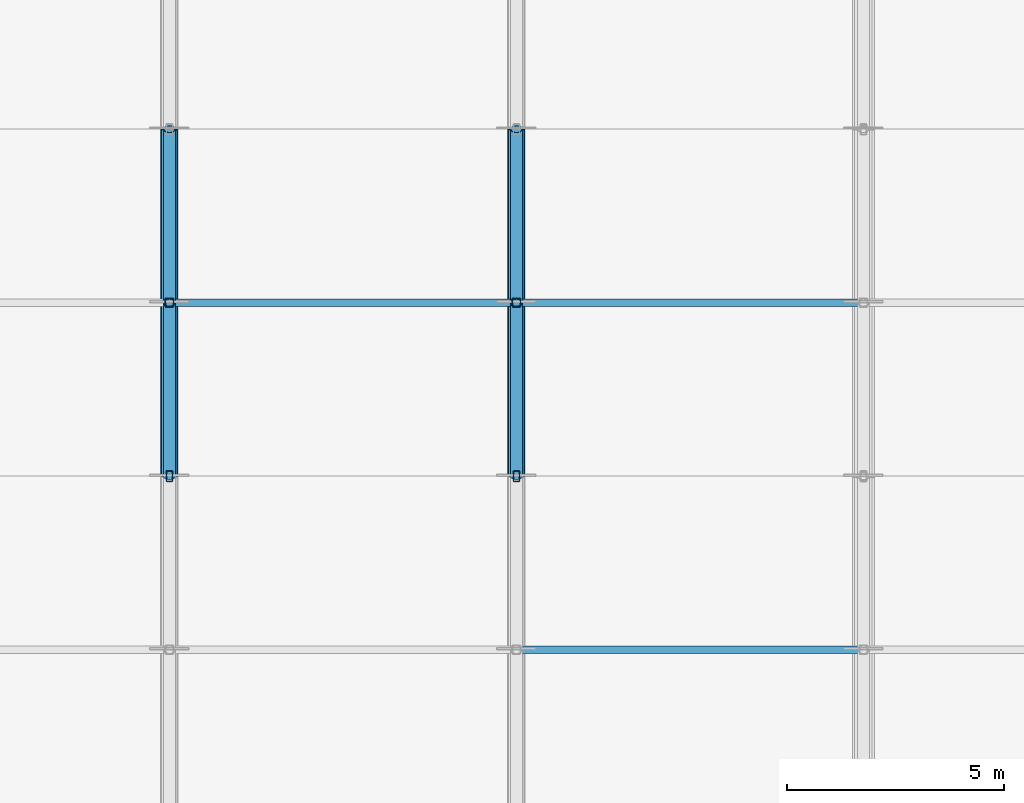
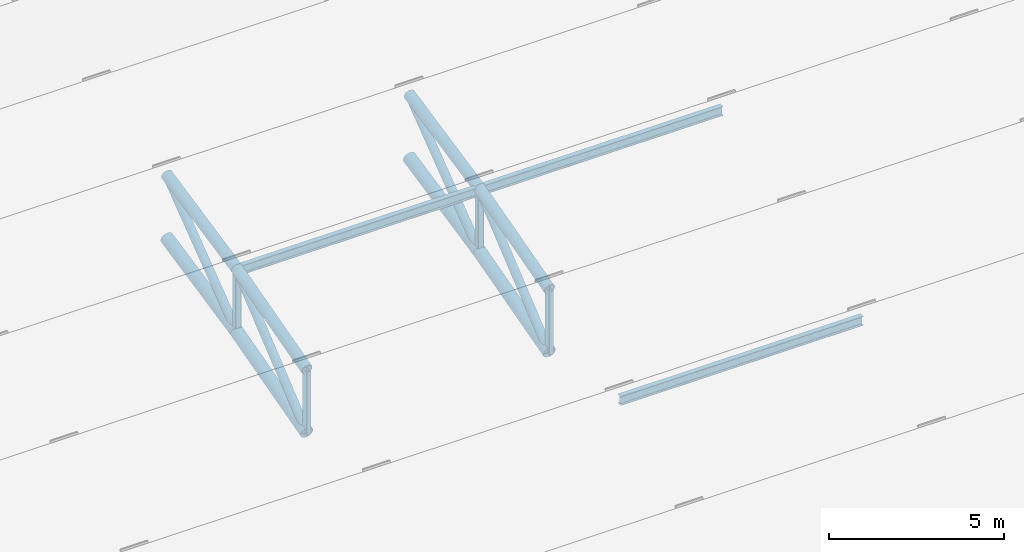
# One storey, part 24 of 98: 19 members.
"""IFC4 building model written with IfcOpenShell, lengths in metres."""

from ifc_helpers import new_model, si_unit, direction, frame, origin, origin_2d, place, context, subcontext, project, spatial, hollow_rectangle, hollow_circle, i_section, extrude, material, material_profile, profile_set, type_object, element, save


model = new_model("IFC4")

# Units and contexts
model_context = context("Model", 3, precision=1e-05, world=origin(), true_north=direction((0.0, 1.0)))
body_context = subcontext(model_context, "Body", "Model", "MODEL_VIEW")
ifc_project = project(units=[si_unit("LENGTHUNIT", "METRE"), si_unit("AREAUNIT", "SQUARE_METRE"), si_unit("VOLUMEUNIT", "CUBIC_METRE"), si_unit("PLANEANGLEUNIT", "RADIAN"), si_unit("MASSUNIT", "GRAM", prefix="KILO")], contexts=[model_context])

# Site, building, storey
site_placement = place(None, origin())
site = spatial("IfcSite", under=ifc_project, at=site_placement, CompositionType="ELEMENT")
building_placement = place(site_placement, origin())
building = spatial("IfcBuilding", under=site, at=building_placement, Name="Tlacozan Convention Centre", CompositionType="ELEMENT")
storey_placement = place(building_placement, frame((0.0, 0.0, 25.800048828125)))
storey = spatial("IfcBuildingStorey", under=building, at=storey_placement, Name="Roof", CompositionType="ELEMENT", Elevation=25.800048828125)

# Members
ifc_material_1 = material(Name="Steel ASTM A500 Grade C", Category="steel")
ifc_material_profile_1 = material_profile(ifc_material_1, hollow_circle(Radius=0.203125, WallThickness=0.015869140625, at=origin_2d()), Name="OC 406.4x15.9")
ifc_profile_set_1 = profile_set([ifc_material_profile_1], Name="Steel ASTM A500 Grade C")
member_type_1 = type_object("IfcMemberType", Name="Arch Bottom Chord OC 406.4x15.9", PredefinedType="CHORD", material=ifc_profile_set_1)
member_1_placement = place(storey_placement, frame((80.0, 74.0, -7.807861328125), z_axis=(0.0, 0.964289609145, 0.26485005134), x_axis=(-1.0, 0.0, 0.0)))
element("IfcMember", 1, at=member_1_placement, inside=storey, type_object=member_type_1, Name="V2A Roof Truss 11 Bottom Chord 4", PredefinedType="CHORD", context=body_context, shape_type="SweptSolid", body=[
    extrude(hollow_circle(Radius=0.203125, WallThickness=0.015869140625, at=origin_2d()), origin(), (0.0, 0.0, 1.0), 4.148193359375),
])
member_2_placement = place(storey_placement, frame((80.0, 78.0, -6.709228515625), z_axis=(0.0, 0.978552953366, 0.205995430674), x_axis=(-1.0, 0.0, 0.0)))
element("IfcMember", 2, at=member_2_placement, inside=storey, type_object=member_type_1, Name="V2A Roof Truss 11 Bottom Chord 5", PredefinedType="CHORD", context=body_context, shape_type="SweptSolid", body=[
    extrude(hollow_circle(Radius=0.203125, WallThickness=0.015869140625, at=origin_2d()), origin(), (0.0, 0.0, 1.0), 4.087646484375),
])
member_3_placement = place(storey_placement, frame((88.0, 74.0, -7.807861328125), z_axis=(0.0, 0.964289609145, 0.26485005134), x_axis=(-1.0, 0.0, 0.0)))
element("IfcMember", 3, at=member_3_placement, inside=storey, type_object=member_type_1, Name="V2A Roof Truss 12 Bottom Chord 4", PredefinedType="CHORD", context=body_context, shape_type="SweptSolid", body=[
    extrude(hollow_circle(Radius=0.203125, WallThickness=0.015869140625, at=origin_2d()), origin(), (0.0, 0.0, 1.0), 4.148193359375),
])
member_4_placement = place(storey_placement, frame((88.0, 78.0, -6.709228515625), z_axis=(0.0, 0.978552953366, 0.205995430674), x_axis=(-1.0, 0.0, 0.0)))
element("IfcMember", 4, at=member_4_placement, inside=storey, type_object=member_type_1, Name="V2A Roof Truss 12 Bottom Chord 5", PredefinedType="CHORD", context=body_context, shape_type="SweptSolid", body=[
    extrude(hollow_circle(Radius=0.203125, WallThickness=0.015869140625, at=origin_2d()), origin(), (0.0, 0.0, 1.0), 4.087646484375),
])
ifc_material_profile_2 = material_profile(ifc_material_1, hollow_circle(Radius=0.136474609375, WallThickness=0.0126953125, at=origin_2d()), Name="OC 273.1x12.7")
ifc_profile_set_2 = profile_set([ifc_material_profile_2], Name="Steel ASTM A500 Grade C")
member_type_2 = type_object("IfcMemberType", Name="Arch Web Diagonal OC 273.1x12.7", PredefinedType="BRACE", material=ifc_profile_set_2)
member_5_placement = place(storey_placement, frame((80.0, 74.0, -7.807861328125), z_axis=(0.0, 0.771507331308, 0.63622043172), x_axis=(-1.0, 0.0, 0.0)))
element("IfcMember", 5, at=member_5_placement, inside=storey, type_object=member_type_2, Name="V2A Roof Truss 11 Web Diagonal 4", PredefinedType="BRACE", context=body_context, shape_type="SweptSolid", body=[
    extrude(hollow_circle(Radius=0.136474609375, WallThickness=0.0126953125, at=origin_2d()), origin(), (0.0, 0.0, 1.0), 5.1845703125),
])
member_6_placement = place(storey_placement, frame((80.0, 78.0, -6.709228515625), z_axis=(0.0, 0.795971176065, 0.605334524766), x_axis=(-1.0, 0.0, 0.0)))
element("IfcMember", 6, at=member_6_placement, inside=storey, type_object=member_type_2, Name="V2A Roof Truss 11 Web Diagonal 5", PredefinedType="BRACE", context=body_context, shape_type="SweptSolid", body=[
    extrude(hollow_circle(Radius=0.136474609375, WallThickness=0.0126953125, at=origin_2d()), origin(), (0.0, 0.0, 1.0), 5.025390625),
])
member_7_placement = place(storey_placement, frame((88.0, 74.0, -7.807861328125), z_axis=(0.0, 0.771507331308, 0.63622043172), x_axis=(-1.0, 0.0, 0.0)))
element("IfcMember", 7, at=member_7_placement, inside=storey, type_object=member_type_2, Name="V2A Roof Truss 12 Web Diagonal 4", PredefinedType="BRACE", context=body_context, shape_type="SweptSolid", body=[
    extrude(hollow_circle(Radius=0.136474609375, WallThickness=0.0126953125, at=origin_2d()), origin(), (0.0, 0.0, 1.0), 5.1845703125),
])
member_8_placement = place(storey_placement, frame((88.0, 78.0, -6.709228515625), z_axis=(0.0, 0.795971176065, 0.605334524766), x_axis=(-1.0, 0.0, 0.0)))
element("IfcMember", 8, at=member_8_placement, inside=storey, type_object=member_type_2, Name="V2A Roof Truss 12 Web Diagonal 5", PredefinedType="BRACE", context=body_context, shape_type="SweptSolid", body=[
    extrude(hollow_circle(Radius=0.136474609375, WallThickness=0.0126953125, at=origin_2d()), origin(), (0.0, 0.0, 1.0), 5.025390625),
])
ifc_material_profile_3 = material_profile(ifc_material_1, hollow_rectangle(XDim=0.203125, YDim=0.203125, WallThickness=0.0126953125, InnerFilletRadius=0.0126953125, OuterFilletRadius=0.02490234375, at=origin_2d()), Name="OR 203x203x12.7")
ifc_profile_set_3 = profile_set([ifc_material_profile_3], Name="Steel ASTM A500 Grade C")
member_type_3 = type_object("IfcMemberType", Name="Arch Web Strut OR 203x203x12.7", PredefinedType="STRUT", material=ifc_profile_set_3)
for number, where, z_axis, x_axis, name in (
    (9, (80.0, 78.0, -6.709228515625), (0.0, 0.0, 1.0), (1.0, 0.0, 0.0), "V2A Roof Truss 11 Vertical Strut 5"),
    (10, (88.0, 78.0, -6.709228515625), (0.0, 0.0, 1.0), (1.0, 0.0, 0.0), "V2A Roof Truss 12 Vertical Strut 5"),
):
    element("IfcMember", number, at=place(storey_placement, frame(where, z_axis=z_axis, x_axis=x_axis)), inside=storey, type_object=member_type_3, Name=name, PredefinedType="STRUT", context=body_context, shape_type="SweptSolid", body=[
        extrude(hollow_rectangle(XDim=0.203125, YDim=0.203125, WallThickness=0.0126953125, InnerFilletRadius=0.0126953125, OuterFilletRadius=0.02490234375, at=origin_2d()), origin(), (0.0, 0.0, 1.0), 2.199951171875),
    ])
ifc_material_2 = material(Name="Steel ASTM A992 Grade 50", Category="steel")
ifc_material_profile_4 = material_profile(ifc_material_2, i_section(OverallWidth=0.1669921875, OverallDepth=0.31689453125, WebThickness=0.007568359375, FlangeThickness=0.01318359375, FilletRadius=0.010009765625, at=origin_2d()), Name="IR 305x52.2")
ifc_profile_set_4 = profile_set([ifc_material_profile_4], Name="Steel ASTM A992 Grade 50")
member_type_4 = type_object("IfcMemberType", Name="Roof Purlin IR 305x52.2", PredefinedType="PURLIN", material=ifc_profile_set_4)
for number, where, z_axis, x_axis, name in (
    (11, (80.0, 78.0, -4.57421875), (1.0, 0.0, 0.0), (0.0, 1.0, 0.0), "V2A Roof Truss Purlin 11.5"),
    (12, (88.0, 70.0, -7.041259765625), (1.0, 0.0, 0.0), (0.0, 1.0, 0.0), "V2A Roof Truss Purlin 12.3"),
    (13, (88.0, 78.0, -4.57421875), (1.0, 0.0, 0.0), (0.0, 1.0, 0.0), "V2A Roof Truss Purlin 12.5"),
):
    element("IfcMember", number, at=place(storey_placement, frame(where, z_axis=z_axis, x_axis=x_axis)), inside=storey, type_object=member_type_4, Name=name, PredefinedType="PURLIN", context=body_context, shape_type="SweptSolid", body=[
        extrude(i_section(OverallWidth=0.1669921875, OverallDepth=0.31689453125, WebThickness=0.007568359375, FlangeThickness=0.01318359375, FilletRadius=0.010009765625, at=origin_2d()), origin(), (0.0, 0.0, 1.0), 8.0),
    ])
ifc_material_profile_5 = material_profile(ifc_material_1, hollow_circle(Radius=0.177734375, WallThickness=0.015869140625, at=origin_2d()), Name="OC 355.6x15.9")
ifc_profile_set_5 = profile_set([ifc_material_profile_5], Name="Steel ASTM A500 Grade C")
member_type_5 = type_object("IfcMemberType", Name="Secondary Arch Chord OC 355.6x15.9", PredefinedType="CHORD", material=ifc_profile_set_5)
member_9_placement = place(storey_placement, frame((80.0, 74.0, -5.607666015625), z_axis=(0.0, 0.964304639076, 0.264795322949), x_axis=(-1.0, 0.0, 0.0)))
element("IfcMember", 14, at=member_9_placement, inside=storey, type_object=member_type_5, Name="V2A Roof Truss 11 Top Chord 4", PredefinedType="CHORD", context=body_context, shape_type="SweptSolid", body=[
    extrude(hollow_circle(Radius=0.177734375, WallThickness=0.015869140625, at=origin_2d()), origin(), (0.0, 0.0, 1.0), 4.14794921875),
])
member_10_placement = place(storey_placement, frame((80.0, 78.0, -4.50927734375), z_axis=(0.0, 0.978552953366, 0.205995430674), x_axis=(-1.0, 0.0, 0.0)))
element("IfcMember", 15, at=member_10_placement, inside=storey, type_object=member_type_5, Name="V2A Roof Truss 11 Top Chord 5", PredefinedType="CHORD", context=body_context, shape_type="SweptSolid", body=[
    extrude(hollow_circle(Radius=0.177734375, WallThickness=0.015869140625, at=origin_2d()), origin(), (0.0, 0.0, 1.0), 4.087646484375),
])
member_11_placement = place(storey_placement, frame((88.0, 74.0, -5.607666015625), z_axis=(0.0, 0.964304639076, 0.264795322949), x_axis=(-1.0, 0.0, 0.0)))
element("IfcMember", 16, at=member_11_placement, inside=storey, type_object=member_type_5, Name="V2A Roof Truss 12 Top Chord 4", PredefinedType="CHORD", context=body_context, shape_type="SweptSolid", body=[
    extrude(hollow_circle(Radius=0.177734375, WallThickness=0.015869140625, at=origin_2d()), origin(), (0.0, 0.0, 1.0), 4.14794921875),
])
member_12_placement = place(storey_placement, frame((88.0, 78.0, -4.50927734375), z_axis=(0.0, 0.978552953366, 0.205995430674), x_axis=(-1.0, 0.0, 0.0)))
element("IfcMember", 17, at=member_12_placement, inside=storey, type_object=member_type_5, Name="V2A Roof Truss 12 Top Chord 5", PredefinedType="CHORD", context=body_context, shape_type="SweptSolid", body=[
    extrude(hollow_circle(Radius=0.177734375, WallThickness=0.015869140625, at=origin_2d()), origin(), (0.0, 0.0, 1.0), 4.087646484375),
])
ifc_material_profile_6 = material_profile(ifc_material_1, hollow_rectangle(XDim=0.15234375, YDim=0.25390625, WallThickness=0.0126953125, InnerFilletRadius=0.0126953125, OuterFilletRadius=0.02490234375, at=origin_2d()), Name="OR 254x152x12.7")
ifc_profile_set_6 = profile_set([ifc_material_profile_6], Name="Steel ASTM A500 Grade C")
member_type_6 = type_object("IfcMemberType", Name="Truss Secondary Strut OR 254x152x12.7", PredefinedType="STRUT", material=ifc_profile_set_6)
for number, where, z_axis, x_axis, name in (
    (18, (80.0, 74.0, -7.807861328125), (0.0, 0.0, 1.0), (1.0, 0.0, 0.0), "V2A Roof Truss 11 Vertical Strut 4"),
    (19, (88.0, 74.0, -7.807861328125), (0.0, 0.0, 1.0), (1.0, 0.0, 0.0), "V2A Roof Truss 12 Vertical Strut 4"),
):
    element("IfcMember", number, at=place(storey_placement, frame(where, z_axis=z_axis, x_axis=x_axis)), inside=storey, type_object=member_type_6, Name=name, PredefinedType="STRUT", context=body_context, shape_type="SweptSolid", body=[
        extrude(hollow_rectangle(XDim=0.15234375, YDim=0.25390625, WallThickness=0.0126953125, InnerFilletRadius=0.0126953125, OuterFilletRadius=0.02490234375, at=origin_2d()), origin(), (0.0, 0.0, 1.0), 2.2001953125),
    ])

save(model, "model.ifc")
